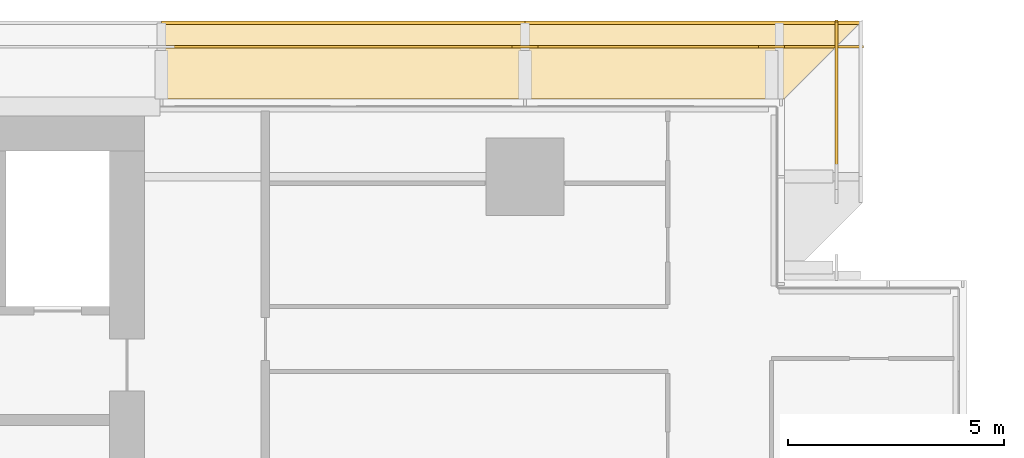
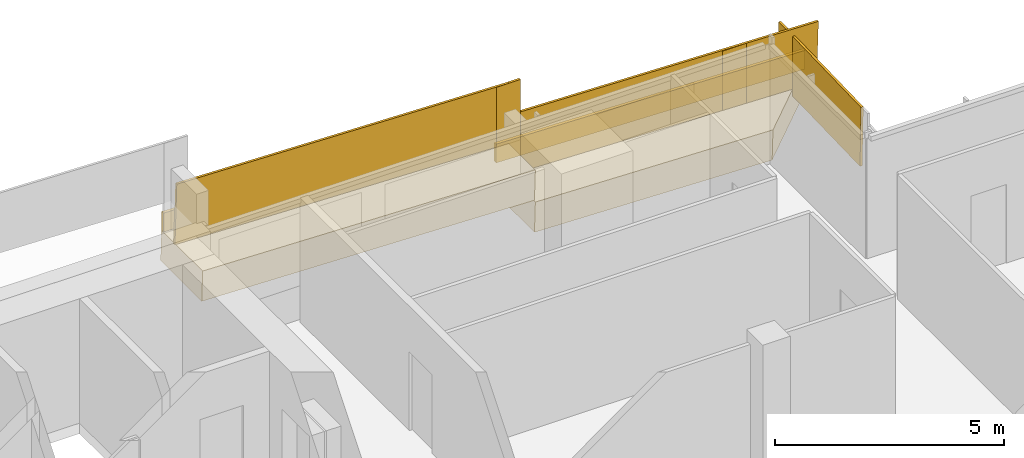
# One storey, part 28 of 30: 5 railings, 4 coverings.
"""IFC4 building model written with IfcOpenShell, lengths in metres."""

from ifc_helpers import new_model, si_unit, direction, frame, origin, origin_2d, place, context, subcontext, project, spatial, polyline, rectangle, outline, extrude, material, layer, layer_set, type_object, element, save


model = new_model("IFC4")

# Units and contexts
model_context = context("Model", 3, precision=1e-05, world=origin(), true_north=direction((0.0, 1.0)))
body_context = subcontext(model_context, "Body", "Model", "MODEL_VIEW")
ifc_project = project(units=[si_unit("LENGTHUNIT", "METRE"), si_unit("AREAUNIT", "SQUARE_METRE"), si_unit("VOLUMEUNIT", "CUBIC_METRE"), si_unit("PLANEANGLEUNIT", "RADIAN"), si_unit("MASSUNIT", "GRAM", prefix="KILO")], contexts=[model_context])

# Site, building, storey
site_placement = place(None, origin())
site = spatial("IfcSite", under=ifc_project, at=site_placement, CompositionType="ELEMENT")
building_placement = place(site_placement, origin())
building = spatial("IfcBuilding", under=site, at=building_placement, Name="Saffron Gate Tower", CompositionType="ELEMENT")
storey_placement = place(building_placement, frame((0.0, 0.0, 169.050048828125)))
storey = spatial("IfcBuildingStorey", under=building, at=storey_placement, Name="L41", CompositionType="ELEMENT", Elevation=169.050048828125)

# Coverings
ifc_material = material(Name="Timber, thermally modified ash", Category="wood")
ifc_layer_1 = layer(ifc_material, 0.800048828125)
ifc_layer_set_1 = layer_set([ifc_layer_1], Name="LD1 ledge timber")
covering_type_1 = type_object("IfcCoveringType", Name="LD1 ledge timber", PredefinedType="CLADDING", material=ifc_layer_set_1)
covering_1_placement = place(storey_placement, frame((123.0, 75.60009765625, 0.72900390625), z_axis=(0.028807146299, 3.5032058e-05, 0.99958498743), x_axis=(-0.999584988043, 3.68e-10, 0.028807146316)))
element("IfcCovering", 1, at=covering_1_placement, inside=storey, type_object=covering_type_1, Name="LEDGE", PredefinedType="CLADDING", context=body_context, shape_type="SweptSolid", body=[
    extrude(outline(polyline([(0.0, 0.0), (6.0024892885105, 0.0), (6.002489289172793, -1.7998046863955992), (-1.800799813548424, -1.799804691475862), (0.0, 0.0)])), origin(), (0.0, 0.0, -1.0), 0.800048828125),
])
covering_2_placement = place(storey_placement, frame((117.0, 75.60009765625, 1.75927734375), z_axis=(0.028791175352, 0.0, 0.999585448184), x_axis=(-0.999585448184, 0.0, 0.028791175352)))
element("IfcCovering", 2, at=covering_2_placement, inside=storey, type_object=covering_type_1, Name="LEDGE", PredefinedType="CLADDING", context=body_context, shape_type="SweptSolid", body=[
    extrude(outline(polyline([(0.0, 0.0), (8.403385982666892, 0.0), (8.403385982666892, -1.7998046875), (0.0, -1.7998046875), (0.0, 0.0)])), origin(), (0.0, 0.0, -1.0), 0.800048828125),
])
ifc_layer_2 = layer(ifc_material, 0.080078125)
ifc_layer_set_2 = layer_set([ifc_layer_2], Name="LD2 ledge planter trough")
covering_type_2 = type_object("IfcCoveringType", Name="LD2 ledge planter trough", PredefinedType="CLADDING", material=ifc_layer_set_2)
covering_3_placement = place(storey_placement, frame((124.800048828125, 77.39990234375, 0.677001953125), z_axis=(0.0, 1.0, 0.0), x_axis=(-0.999584755248, 0.0, 0.028815222999)))
element("IfcCovering", 3, at=covering_3_placement, inside=storey, type_object=covering_type_2, Name="LEDGE planter trough", PredefinedType="CLADDING", context=body_context, shape_type="SweptSolid", body=[
    extrude(outline(polyline([(0.0, 0.0), (7.803289102975944, 0.0), (7.8176967144752565, 0.4997923776238338), (0.014407611499312996, 0.4997923776238338), (0.0, 0.0)])), origin(), (0.0, 0.0, -1.0), 0.080078125),
])
covering_4_placement = place(storey_placement, frame((117.0, 77.39990234375, 1.75927734375), z_axis=(0.0, 1.0, 0.0), x_axis=(-0.999585448184, 0.0, 0.028791175352)))
element("IfcCovering", 4, at=covering_4_placement, inside=storey, type_object=covering_type_2, Name="LEDGE planter trough", PredefinedType="CLADDING", context=body_context, shape_type="SweptSolid", body=[
    extrude(outline(polyline([(0.0, 0.0), (8.403385982666892, 0.0), (8.417781570342743, 0.49979272409216496), (0.014395587675851172, 0.4997927240921649), (0.0, 0.0)])), origin(), (0.0, 0.0, -1.0), 0.080078125),
])

# Railings
railing_type = type_object("IfcRailingType", Name="LG1 ledge balustrade", PredefinedType="BALUSTRADE", material=ifc_material)
railing_1_placement = place(storey_placement, frame((124.199951171875, 73.800048828125, 0.419921875)))
element("IfcRailing", 5, at=railing_1_placement, inside=storey, type_object=railing_type, Name="LEDGE BALUSTRADE", PredefinedType="BALUSTRADE", context=body_context, shape_type="SweptSolid", body=[
    extrude(rectangle(XDim=0.06005859375, YDim=1.60009765625, at=origin_2d()), frame((0.0, 0.0, 0.800048828125), z_axis=(0.0, 0.999584866472, 0.028811364412), x_axis=(-1.0, 0.0, 0.0)), (0.0, 0.0, 1.0), 3.601318359375),
])
railing_2_placement = place(storey_placement, frame((124.800048828125, 76.800048828125, 0.677001953125)))
element("IfcRailing", 6, at=railing_2_placement, inside=storey, type_object=railing_type, Name="LEDGE BALUSTRADE", PredefinedType="BALUSTRADE", context=body_context, shape_type="SweptSolid", body=[
    extrude(rectangle(XDim=0.06005859375, YDim=1.60009765625, at=origin_2d()), frame((0.0, 0.0, 0.800048828125), z_axis=(-0.999584755248, 0.0, 0.028815222999), x_axis=(0.0, -1.0, 0.0)), (0.0, 0.0, 1.0), 7.80322265625),
])
railing_3_placement = place(storey_placement, frame((123.0, 76.800048828125, 0.4716796875)))
element("IfcRailing", 7, at=railing_3_placement, inside=storey, type_object=railing_type, Name="LEDGE BALUSTRADE", PredefinedType="BALUSTRADE", context=body_context, shape_type="SweptSolid", body=[
    extrude(rectangle(XDim=0.06005859375, YDim=1.857177734375, at=origin_2d()), frame((0.0, 0.0, 0.9287109375), z_axis=(-1.0, 0.0, 0.0), x_axis=(0.0, -1.0, 0.0)), (0.0, 0.0, 1.0), 0.60009765625),
])
railing_4_placement = place(storey_placement, frame((117.0, 76.800048828125, 1.75927734375)))
element("IfcRailing", 8, at=railing_4_placement, inside=storey, type_object=railing_type, Name="LEDGE BALUSTRADE", PredefinedType="BALUSTRADE", context=body_context, shape_type="SweptSolid", body=[
    extrude(rectangle(XDim=0.06005859375, YDim=1.60009765625, at=origin_2d()), frame((0.0, 0.0, 0.800048828125), z_axis=(-0.999585448184, 0.0, 0.028791175352), x_axis=(0.0, -1.0, 0.0)), (0.0, 0.0, 1.0), 8.4033203125),
])
railing_5_placement = place(storey_placement, frame((117.300048828125, 76.800048828125, 0.90185546875)))
element("IfcRailing", 9, at=railing_5_placement, inside=storey, type_object=railing_type, Name="LEDGE BALUSTRADE", PredefinedType="BALUSTRADE", context=body_context, shape_type="SweptSolid", body=[
    extrude(rectangle(XDim=0.06005859375, YDim=2.45751953125, at=origin_2d()), frame((0.0, 0.0, 1.228759765625), z_axis=(-1.0, 0.0, 0.0), x_axis=(0.0, -1.0, 0.0)), (0.0, 0.0, 1.0), 0.60009765625),
])

save(model, "model.ifc")
